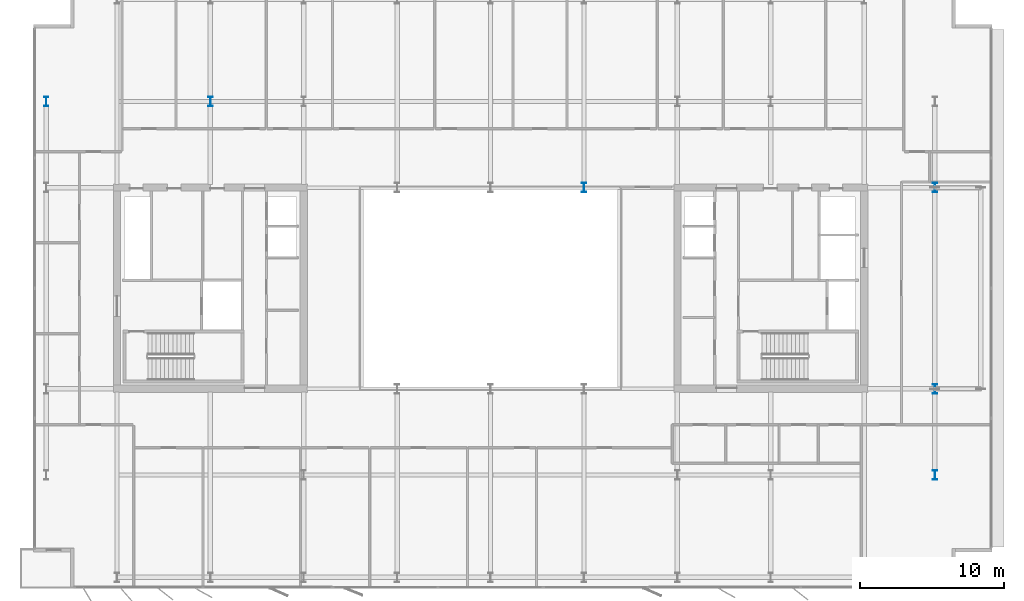
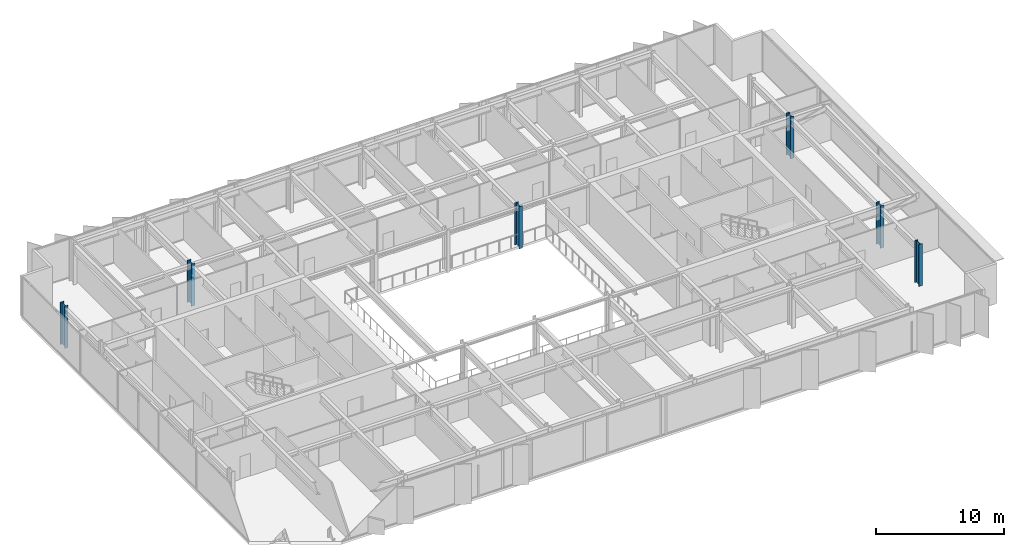
# One storey, part 2 of 20: 6 columns.
"""IFC4 building model written with IfcOpenShell, lengths in metres."""

from ifc_helpers import new_model, si_unit, direction, frame, origin, origin_2d, place, context, subcontext, project, spatial, i_section, extrude, material, material_profile, profile_set, type_object, element, save


model = new_model("IFC4")

# Units and contexts
model_context = context("Model", 3, precision=1e-05, world=origin(), true_north=direction((0.0, 1.0)))
body_context = subcontext(model_context, "Body", "Model", "MODEL_VIEW")
ifc_project = project(units=[si_unit("LENGTHUNIT", "METRE"), si_unit("AREAUNIT", "SQUARE_METRE"), si_unit("VOLUMEUNIT", "CUBIC_METRE"), si_unit("PLANEANGLEUNIT", "RADIAN"), si_unit("MASSUNIT", "GRAM", prefix="KILO")], contexts=[model_context])

# Site, building, storey
site_placement = place(None, origin())
site = spatial("IfcSite", under=ifc_project, at=site_placement, CompositionType="ELEMENT")
building_placement = place(site_placement, origin())
building = spatial("IfcBuilding", under=site, at=building_placement, Name="Putna Gate Headquarters", CompositionType="ELEMENT")
storey_placement = place(building_placement, frame((0.0, 0.0, 298.39990234375)))
storey = spatial("IfcBuildingStorey", under=building, at=storey_placement, Name="L75", CompositionType="ELEMENT", Elevation=298.39990234375)

# Columns
ifc_material = material(Name="Steel S460M", Category="steel")
ifc_material_profile_1 = material_profile(ifc_material, i_section(OverallWidth=0.304931640625, OverallDepth=0.66796875, WebThickness=0.02099609375, FlangeThickness=0.0400390625, at=origin_2d()), Name="Steel S460M")
ifc_profile_set_1 = profile_set([ifc_material_profile_1], Name="Steel S460M")
column_type_1 = type_object("IfcColumnType", Name="COL-STL-HEM650-EXT", PredefinedType="COLUMN", material=ifc_profile_set_1)
for number, where, z_axis, x_axis, name in (
    (1, (69.919921875, 13.0, 0.0), (0.0, 0.0, 1.0), (1.0, 0.0, 0.0), "L75 Column CP-E13"),
    (2, (69.919921875, 19.0, 0.0), (0.0, 0.0, 1.0), (1.0, 0.0, 0.0), "L75 Column CP-E19"),
    (3, (69.919921875, 33.0, 0.0), (0.0, 0.0, 1.0), (1.0, 0.0, 0.0), "L75 Column CP-E33"),
    (4, (8.080078125, 39.0, 0.0), (0.0, 0.0, 1.0), (1.0, 0.0, 0.0), "L75 Column CP-W39"),
):
    element("IfcColumn", number, at=place(storey_placement, frame(where, z_axis=z_axis, x_axis=x_axis)), inside=storey, type_object=column_type_1, Name=name, PredefinedType="COLUMN", context=body_context, shape_type="SweptSolid", body=[
        extrude(i_section(OverallWidth=0.304931640625, OverallDepth=0.66796875, WebThickness=0.02099609375, FlangeThickness=0.0400390625, at=origin_2d()), origin(), (0.0, 0.0, 1.0), 4.0),
    ])
ifc_material_profile_2 = material_profile(ifc_material, i_section(OverallWidth=0.304931640625, OverallDepth=0.66796875, WebThickness=0.02099609375, FlangeThickness=0.0400390625, at=origin_2d()), Name="Steel S460M")
ifc_profile_set_2 = profile_set([ifc_material_profile_2], Name="Steel S460M")
column_type_2 = type_object("IfcColumnType", Name="COL-STL-HEM650-INT", PredefinedType="COLUMN", material=ifc_profile_set_2)
for number, where, z_axis, x_axis, name in (
    (5, (19.5, 39.0, 0.0), (0.0, 0.0, 1.0), (1.0, 0.0, 0.0), "L75 Column CSI-WN"),
    (6, (45.5, 33.0, 0.0), (0.0, 0.0, 1.0), (1.0, 0.0, 0.0), "L75 Column CAI-N45"),
):
    element("IfcColumn", number, at=place(storey_placement, frame(where, z_axis=z_axis, x_axis=x_axis)), inside=storey, type_object=column_type_2, Name=name, PredefinedType="COLUMN", context=body_context, shape_type="SweptSolid", body=[
        extrude(i_section(OverallWidth=0.304931640625, OverallDepth=0.66796875, WebThickness=0.02099609375, FlangeThickness=0.0400390625, at=origin_2d()), origin(), (0.0, 0.0, 1.0), 4.0),
    ])

save(model, "model.ifc")
